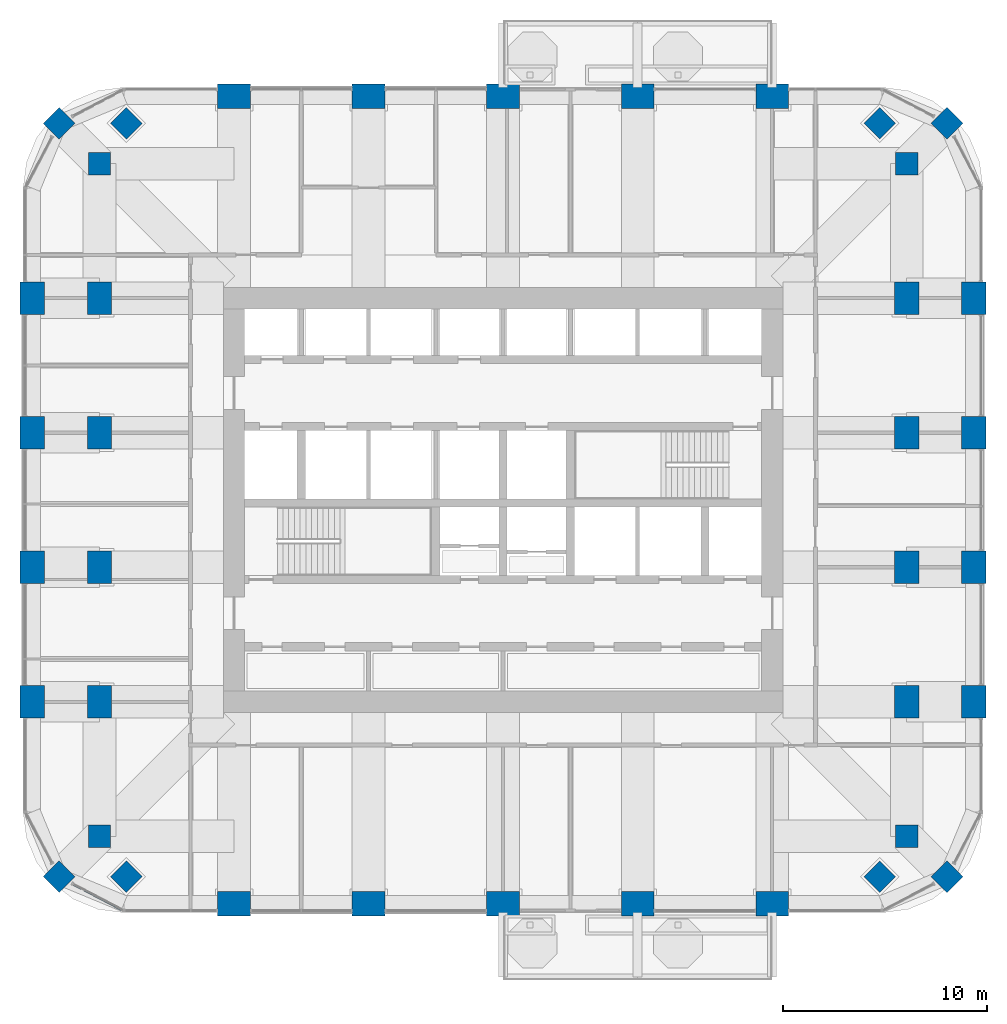
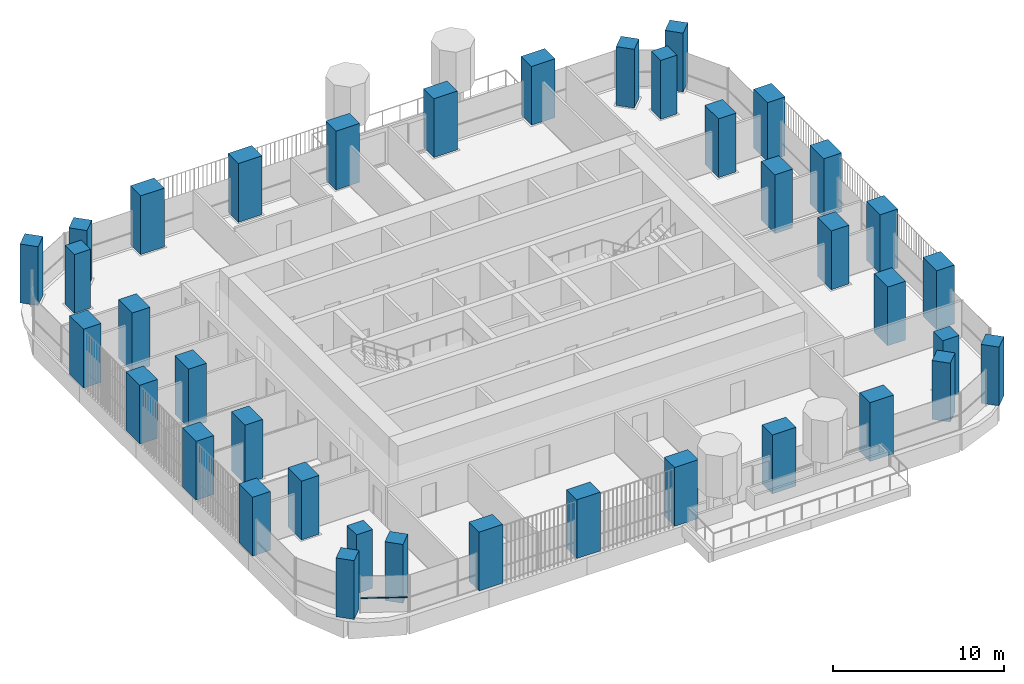
# One storey, part 1 of 20: 38 columns, 1 member, 1 element without a shape of its own.
"""IFC4 building model written with IfcOpenShell, lengths in metres."""

from ifc_helpers import new_model, si_unit, direction, frame, origin, origin_2d, place, context, subcontext, project, spatial, rectangle, extrude, material, material_profile, profile_set, type_object, element, aggregate, save


model = new_model("IFC4")

# Units and contexts
model_context = context("Model", 3, precision=1e-05, world=origin(), true_north=direction((0.0, 1.0)))
body_context = subcontext(model_context, "Body", "Model", "MODEL_VIEW")
ifc_project = project(units=[si_unit("LENGTHUNIT", "METRE"), si_unit("AREAUNIT", "SQUARE_METRE"), si_unit("VOLUMEUNIT", "CUBIC_METRE"), si_unit("PLANEANGLEUNIT", "RADIAN"), si_unit("MASSUNIT", "GRAM", prefix="KILO")], contexts=[model_context])

# Site, building, storey
site_placement = place(None, origin())
site = spatial("IfcSite", under=ifc_project, at=site_placement, CompositionType="ELEMENT")
building_placement = place(site_placement, origin())
building = spatial("IfcBuilding", under=site, at=building_placement, Name="Cobogo Forest Laboratory Tower", CompositionType="ELEMENT")
storey_placement = place(building_placement, frame((0.0, 0.0, 214.5)))
storey = spatial("IfcBuildingStorey", under=building, at=storey_placement, Name="L49", CompositionType="ELEMENT", Elevation=214.5)

# Columns
ifc_material_1 = material(Name="Concrete HA-50 (C50/60)", Category="concrete")
ifc_material_profile_1 = material_profile(ifc_material_1, rectangle(XDim=1.60009765625, YDim=1.199951171875, at=origin_2d()), Name="RC 1200x1600")
ifc_profile_set_1 = profile_set([ifc_material_profile_1], Name="Concrete HA-50 (C50/60)")
column_type_1 = type_object("IfcColumnType", Name="Blade column 1200x1600", PredefinedType="COLUMN", material=ifc_profile_set_1)
for number, where, z_axis, x_axis, name in (
    (1, (13.199951171875, 3.300048828125, 0.0), (0.0, 0.0, 1.0), (1.0, 0.0, 0.0), "Column 3-A.1 L49"),
    (2, (19.800048828125, 3.300048828125, 0.0), (0.0, 0.0, 1.0), (1.0, 0.0, 0.0), "Column 4-A.1 L49"),
    (3, (26.39990234375, 3.300048828125, 0.0), (0.0, 0.0, 1.0), (1.0, 0.0, 0.0), "Column 5-A.1 L49"),
    (4, (33.0, 3.300048828125, 0.0), (0.0, 0.0, 1.0), (1.0, 0.0, 0.0), "Column 6-A.1 L49"),
    (5, (39.60009765625, 3.300048828125, 0.0), (0.0, 0.0, 1.0), (1.0, 0.0, 0.0), "Column 7-A.1 L49"),
    (6, (3.300048828125, 13.199951171875, 0.0), (0.0, 0.0, 1.0), (0.0, 1.0, 0.0), "Column 1.1-C L49"),
    (7, (49.5, 13.199951171875, 0.0), (0.0, 0.0, 1.0), (0.0, 1.0, 0.0), "Column 8.1-C L49"),
    (8, (3.300048828125, 19.800048828125, 0.0), (0.0, 0.0, 1.0), (0.0, 1.0, 0.0), "Column 1.1-D L49"),
    (9, (49.5, 19.800048828125, 0.0), (0.0, 0.0, 1.0), (0.0, 1.0, 0.0), "Column 8.1-D L49"),
    (10, (3.300048828125, 26.39990234375, 0.0), (0.0, 0.0, 1.0), (0.0, 1.0, 0.0), "Column 1.1-E L49"),
    (11, (49.5, 26.39990234375, 0.0), (0.0, 0.0, 1.0), (0.0, 1.0, 0.0), "Column 8.1-E L49"),
    (12, (3.300048828125, 33.0, 0.0), (0.0, 0.0, 1.0), (0.0, 1.0, 0.0), "Column 1.1-F L49"),
    (13, (49.5, 33.0, 0.0), (0.0, 0.0, 1.0), (0.0, 1.0, 0.0), "Column 8.1-F L49"),
    (14, (13.199951171875, 42.89990234375, 0.0), (0.0, 0.0, 1.0), (1.0, 0.0, 0.0), "Column 3-G.1 L49"),
    (15, (19.800048828125, 42.89990234375, 0.0), (0.0, 0.0, 1.0), (1.0, 0.0, 0.0), "Column 4-G.1 L49"),
    (16, (26.39990234375, 42.89990234375, 0.0), (0.0, 0.0, 1.0), (1.0, 0.0, 0.0), "Column 5-G.1 L49"),
    (17, (33.0, 42.89990234375, 0.0), (0.0, 0.0, 1.0), (1.0, 0.0, 0.0), "Column 6-G.1 L49"),
    (18, (39.60009765625, 42.89990234375, 0.0), (0.0, 0.0, 1.0), (1.0, 0.0, 0.0), "Column 7-G.1 L49"),
    (19, (6.60009765625, 13.199951171875, 0.0), (0.0, 0.0, 1.0), (0.0, 1.0, 0.0), "Column 2-C-D L49"),
    (20, (46.199951171875, 13.199951171875, 0.0), (0.0, 0.0, 1.0), (0.0, 1.0, 0.0), "Column 8-C-D L49"),
    (21, (6.60009765625, 19.800048828125, 0.0), (0.0, 0.0, 1.0), (0.0, 1.0, 0.0), "Column 2-D-D L49"),
    (22, (46.199951171875, 19.800048828125, 0.0), (0.0, 0.0, 1.0), (0.0, 1.0, 0.0), "Column 8-D-D L49"),
    (23, (6.60009765625, 26.39990234375, 0.0), (0.0, 0.0, 1.0), (0.0, 1.0, 0.0), "Column 2-E-D L49"),
    (24, (46.199951171875, 26.39990234375, 0.0), (0.0, 0.0, 1.0), (0.0, 1.0, 0.0), "Column 8-E-D L49"),
    (25, (6.60009765625, 33.0, 0.0), (0.0, 0.0, 1.0), (0.0, 1.0, 0.0), "Column 2-F-D L49"),
    (26, (46.199951171875, 33.0, 0.0), (0.0, 0.0, 1.0), (0.0, 1.0, 0.0), "Column 8-F-D L49"),
):
    element("IfcColumn", number, at=place(storey_placement, frame(where, z_axis=z_axis, x_axis=x_axis)), inside=storey, type_object=column_type_1, Name=name, PredefinedType="COLUMN", context=body_context, shape_type="SweptSolid", body=[
        extrude(rectangle(XDim=1.60009765625, YDim=1.199951171875, at=origin_2d()), origin(), (0.0, 0.0, 1.0), 4.199951171875),
    ])
ifc_material_profile_2 = material_profile(ifc_material_1, rectangle(XDim=1.10009765625, YDim=1.10009765625, at=origin_2d()), Name="RC 1100x1100")
ifc_profile_set_2 = profile_set([ifc_material_profile_2], Name="Concrete HA-50 (C50/60)")
column_type_2 = type_object("IfcColumnType", Name="Column 1100x1100", PredefinedType="COLUMN", material=ifc_profile_set_2)
for number, where, z_axis, x_axis, name in (
    (27, (4.617919921875, 4.617919921875, 0.0), (0.0, 0.0, 1.0), (0.707106781187, 0.707106781187, 0.0), "Column CNR-SW L49"),
    (28, (48.181884765625, 4.617919921875, 0.0), (0.0, 0.0, 1.0), (0.707106781187, 0.707106781187, 0.0), "Column CNR-SE L49"),
    (29, (4.617919921875, 41.58203125, 0.0), (0.0, 0.0, 1.0), (0.707106781187, 0.707106781187, 0.0), "Column CNR-NW L49"),
    (30, (48.181884765625, 41.58203125, 0.0), (0.0, 0.0, 1.0), (0.707106781187, 0.707106781187, 0.0), "Column CNR-NE L49"),
    (31, (6.60009765625, 6.60009765625, 0.0), (0.0, 0.0, 1.0), (1.0, 0.0, 0.0), "Column 2-B L49"),
    (32, (46.199951171875, 6.60009765625, 0.0), (0.0, 0.0, 1.0), (1.0, 0.0, 0.0), "Column 8-B L49"),
    (33, (6.60009765625, 39.60009765625, 0.0), (0.0, 0.0, 1.0), (1.0, 0.0, 0.0), "Column 2-G L49"),
    (34, (46.199951171875, 39.60009765625, 0.0), (0.0, 0.0, 1.0), (1.0, 0.0, 0.0), "Column 8-G L49"),
    (35, (7.91796875, 4.617919921875, 0.0), (0.0, 0.0, 1.0), (0.707106781187, 0.707106781187, 0.0), "Column CNR-SW-D L49"),
    (36, (44.882080078125, 4.617919921875, 0.0), (0.0, 0.0, 1.0), (0.707106781187, 0.707106781187, 0.0), "Column CNR-SE-D L49"),
    (37, (7.91796875, 41.58203125, 0.0), (0.0, 0.0, 1.0), (0.707106781187, 0.707106781187, 0.0), "Column CNR-NW-D L49"),
    (38, (44.882080078125, 41.58203125, 0.0), (0.0, 0.0, 1.0), (0.707106781187, 0.707106781187, 0.0), "Column CNR-NE-D L49"),
):
    element("IfcColumn", number, at=place(storey_placement, frame(where, z_axis=z_axis, x_axis=x_axis)), inside=storey, type_object=column_type_2, Name=name, PredefinedType="COLUMN", context=body_context, shape_type="SweptSolid", body=[
        extrude(rectangle(XDim=1.10009765625, YDim=1.10009765625, at=origin_2d()), origin(), (0.0, 0.0, 1.0), 4.199951171875),
    ])

# Curtain wall, member
ifc_material_2 = material(Name="Aluminium curtain wall", Category="aluminium")
curtain_wall_type = type_object("IfcCurtainWallType", Name="CW-2 unitised curtain wall, solar control glazing, laboratory floors zones C and D", PredefinedType="USERDEFINED", material=ifc_material_2)
curtain_wall_placement = place(storey_placement, origin())
curtain_wall = element("IfcCurtainWall", 39, at=curtain_wall_placement, inside=storey, type_object=curtain_wall_type, Name="Curtain wall 30 L49", ObjectType="UNITISED CURTAIN WALL", PredefinedType="USERDEFINED")
ifc_material_3 = material(Name="Aluminium transom", Category="aluminium")
ifc_material_profile_3 = material_profile(ifc_material_3, rectangle(XDim=0.1201171875, YDim=0.06005859375, at=origin_2d()), Name="AL 60x120")
ifc_profile_set_3 = profile_set([ifc_material_profile_3], Name="Aluminium transom")
member_type = type_object("IfcMemberType", Name="TR-1 aluminium transom 60x120", PredefinedType="USERDEFINED", material=ifc_profile_set_3)
member_placement = place(storey_placement, frame((5.302001953125, 4.259521484375, 1.050048828125), z_axis=(0.885665294301, -0.464324225592, 0.0), x_axis=(0.464324225592, 0.885665294301, 0.0)))
member = element("IfcMember", 40, at=member_placement, type_object=member_type, Name="CW-2 transom 1.1", ObjectType="TRANSOM", PredefinedType="USERDEFINED", context=body_context, shape_type="SweptSolid", body=[
    extrude(rectangle(XDim=0.1201171875, YDim=0.06005859375, at=origin_2d()), origin(), (0.0, 0.0, 1.0), 2.760498046875),
])
aggregate(curtain_wall, [member])

save(model, "model.ifc")
